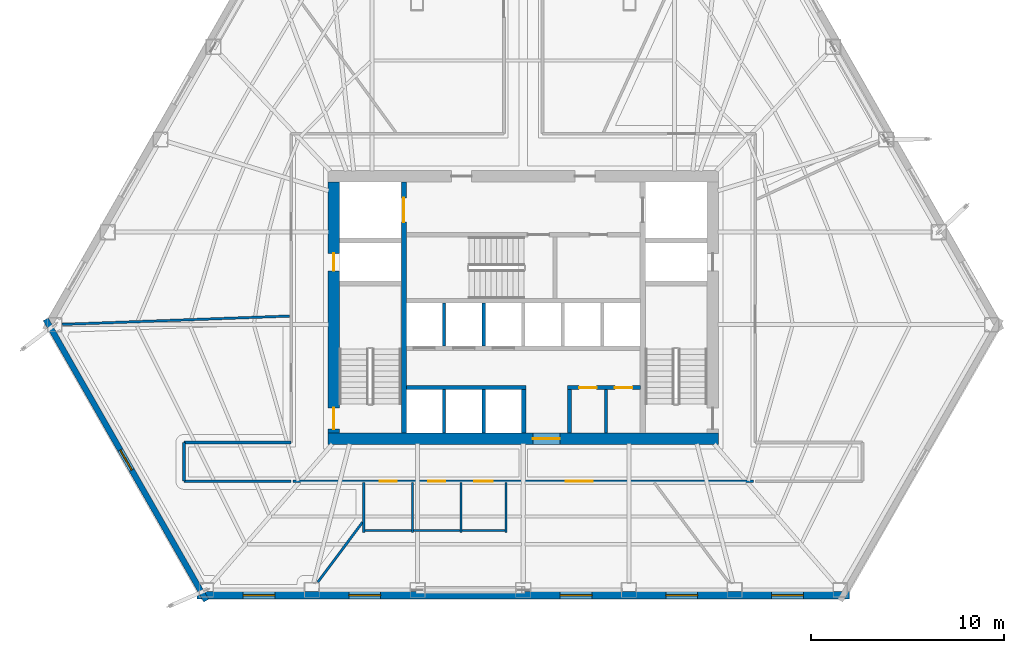
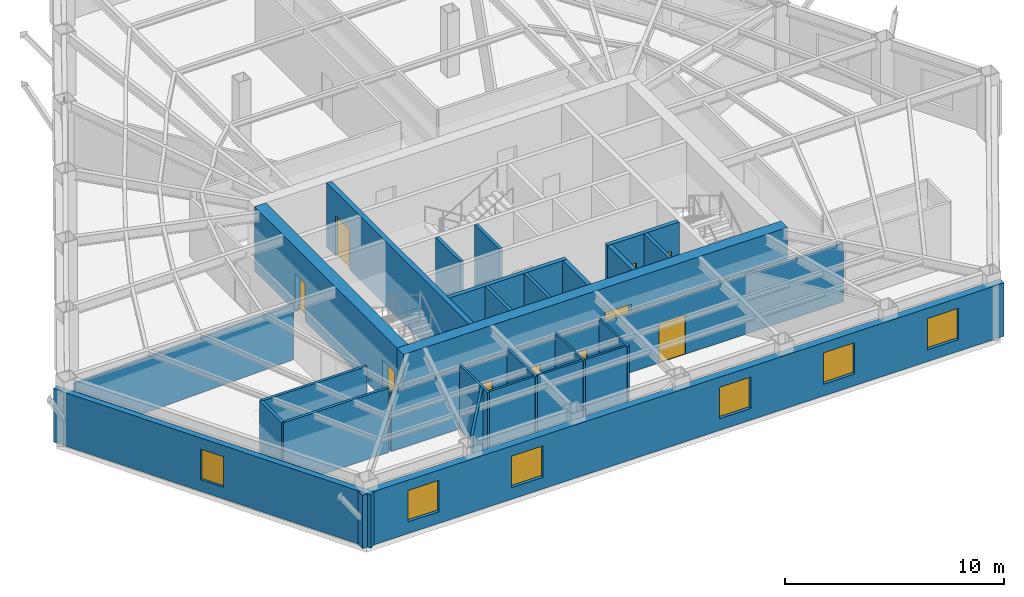
# One storey, part 8 of 12: 25 walls, 10 doors, 6 windows, 16 openings.
"""IFC4 building model written with IfcOpenShell, lengths in metres."""

from ifc_helpers import new_model, si_unit, direction, frame, frame_2d, origin, place, context, subcontext, project, spatial, rectangle, extrude, material, layer, layer_set, type_object, element, fill, save


model = new_model("IFC4")

# Units and contexts
model_context = context("Model", 3, precision=1e-05, world=origin(), true_north=direction((0.0, 1.0)))
body_context = subcontext(model_context, "Body", "Model", "MODEL_VIEW")
ifc_project = project(units=[si_unit("LENGTHUNIT", "METRE"), si_unit("AREAUNIT", "SQUARE_METRE"), si_unit("VOLUMEUNIT", "CUBIC_METRE"), si_unit("PLANEANGLEUNIT", "RADIAN"), si_unit("MASSUNIT", "GRAM", prefix="KILO")], contexts=[model_context])

# Site, building, storey
site_placement = place(None, origin())
site = spatial("IfcSite", under=ifc_project, at=site_placement, CompositionType="ELEMENT")
building_placement = place(site_placement, origin())
building = spatial("IfcBuilding", under=site, at=building_placement, Name="Kavelnor Concourse Tower", CompositionType="ELEMENT")
storey_placement = place(building_placement, frame((0.0, 0.0, 29.10009765625)))
storey = spatial("IfcBuildingStorey", under=building, at=storey_placement, Name="L07", CompositionType="ELEMENT", Elevation=29.10009765625)

# Wall, opening, door
ifc_material_1 = material(Name="Concrete C60/75", Category="concrete")
ifc_layer_1 = layer(ifc_material_1, 0.60009765625, Name="Concrete C60/75")
ifc_layer_set_1 = layer_set([ifc_layer_1], Name="Concrete C60/75")
wall_type_1 = type_object("IfcWallType", Name="WL-CORE-Z1-600", PredefinedType="SOLIDWALL", material=ifc_layer_set_1)
wall_1_placement = place(storey_placement, frame((27.8798828125, 9.300048828125, 0.0), z_axis=(0.0, 0.0, 1.0), x_axis=(1.0, 0.0, 0.0)))
wall_1 = element("IfcWall", 1, at=wall_1_placement, inside=storey, type_object=wall_type_1, Name="L07 Central Core South Shear Wall", PredefinedType="SOLIDWALL", context=body_context, shape_type="SweptSolid", body=[
    extrude(rectangle(XDim=20.240234375, YDim=0.60009765625, at=frame_2d((10.1201171875, 0.0))), origin(), (0.0, 0.0, 1.0), 3.58984375),
])
opening_1_placement = place(wall_1_placement, frame((10.6201171875, 0.0, 0.0)))
opening_1 = element("IfcOpeningElement", 2, at=opening_1_placement, cuts=wall_1, Name="Opening SD-140", PredefinedType="OPENING", context=body_context, shape_type="SweptSolid", body=[
    extrude(rectangle(XDim=1.39990234375, YDim=2.199951171875, at=frame_2d((0.699951171875, 1.10009765625))), frame((0.0, 0.31005859375, 0.0), z_axis=(0.0, -1.0, 0.0), x_axis=(1.0, 0.0, 0.0)), (0.0, 0.0, 1.0), 0.6201171875),
])
ifc_material_2 = material(Name="Solid-core hardwood timber", Category="wood")
door_type_1 = type_object("IfcDoorType", Name="DR-SUITE-ENTRY-1400", OperationType="NOTDEFINED", PredefinedType="DOOR", material=ifc_material_2)
door_1_placement = place(opening_1_placement, origin())
door_1 = element("IfcDoor", 3, at=door_1_placement, inside=storey, type_object=door_type_1, Name="L07 Passenger Lift Lobby Entry Door", OperationType="SINGLE_SWING_RIGHT", OverallHeight=2.199951171875, OverallWidth=1.39990234375, PredefinedType="DOOR", context=body_context, shape_type="SweptSolid", body=[
    extrude(rectangle(XDim=1.39990234375, YDim=2.199951171875, at=frame_2d((0.699951171875, 1.10009765625))), frame((0.0, 0.02490234375, 0.0), z_axis=(0.0, -1.0, 0.0), x_axis=(1.0, 0.0, 0.0)), (0.0, 0.0, 1.0), 0.050048828125),
])
fill(opening_1, door_1)

# Wall, openings, doors
wall_2_placement = place(storey_placement, frame((28.179931640625, 9.60009765625, 0.0), z_axis=(0.0, 0.0, 1.0), x_axis=(0.0, 1.0, 0.0)))
wall_2 = element("IfcWall", 4, at=wall_2_placement, inside=storey, type_object=wall_type_1, Name="L07 Central Core West Shear Wall", PredefinedType="SOLIDWALL", context=body_context, shape_type="SweptSolid", body=[
    extrude(rectangle(XDim=13.0, YDim=0.60009765625, at=frame_2d((6.5, 0.0))), origin(), (0.0, 0.0, 1.0), 3.58984375),
])
opening_2_placement = place(wall_2_placement, frame((0.199951171875, 0.0, 0.0)))
opening_2 = element("IfcOpeningElement", 5, at=opening_2_placement, cuts=wall_2, Name="Opening FD-110", PredefinedType="OPENING", context=body_context, shape_type="SweptSolid", body=[
    extrude(rectangle(XDim=1.10009765625, YDim=2.14990234375, at=frame_2d((0.550048828125, 1.074951171875))), frame((0.0, 0.31005859375, 0.0), z_axis=(0.0, -1.0, 0.0), x_axis=(1.0, 0.0, 0.0)), (0.0, 0.0, 1.0), 0.6201171875),
])
opening_3_placement = place(wall_2_placement, frame((8.39990234375, 0.0, 0.0)))
opening_3 = element("IfcOpeningElement", 6, at=opening_3_placement, cuts=wall_2, Name="Opening FD-090", PredefinedType="OPENING", context=body_context, shape_type="SweptSolid", body=[
    extrude(rectangle(XDim=0.89990234375, YDim=2.10009765625, at=frame_2d((0.449951171875, 1.050048828125))), frame((0.0, 0.31005859375, 0.0), z_axis=(0.0, -1.0, 0.0), x_axis=(1.0, 0.0, 0.0)), (0.0, 0.0, 1.0), 0.6201171875),
])
ifc_material_3 = material(Name="Steel Grade 350", Category="steel")
door_type_2 = type_object("IfcDoorType", Name="DR-RISER-FIRE-900", OperationType="NOTDEFINED", PredefinedType="DOOR", material=ifc_material_3)
door_2_placement = place(opening_3_placement, origin())
door_2 = element("IfcDoor", 7, at=door_2_placement, inside=storey, type_object=door_type_2, Name="L07 West Riser Access Door", OperationType="SINGLE_SWING_RIGHT", OverallHeight=2.10009765625, OverallWidth=0.89990234375, PredefinedType="DOOR", context=body_context, shape_type="SweptSolid", body=[
    extrude(rectangle(XDim=0.89990234375, YDim=2.10009765625, at=frame_2d((0.449951171875, 1.050048828125))), frame((0.0, 0.02490234375, 0.0), z_axis=(0.0, -1.0, 0.0), x_axis=(1.0, 0.0, 0.0)), (0.0, 0.0, 1.0), 0.050048828125),
])
fill(opening_3, door_2)
door_type_3 = type_object("IfcDoorType", Name="DR-STAIR-FIRE-1100", OperationType="NOTDEFINED", PredefinedType="DOOR", material=ifc_material_3)
door_3_placement = place(opening_2_placement, origin())
door_3 = element("IfcDoor", 8, at=door_3_placement, inside=storey, type_object=door_type_3, Name="L07 Stair ST1 Fire Door", OperationType="SINGLE_SWING_LEFT", OverallHeight=2.14990234375, OverallWidth=1.10009765625, PredefinedType="DOOR", context=body_context, shape_type="SweptSolid", body=[
    extrude(rectangle(XDim=1.10009765625, YDim=2.14990234375, at=frame_2d((0.550048828125, 1.074951171875))), frame((0.0, 0.02490234375, 0.0), z_axis=(0.0, -1.0, 0.0), x_axis=(1.0, 0.0, 0.0)), (0.0, 0.0, 1.0), 0.050048828125),
])
fill(opening_2, door_3)

# Wall, opening, window
ifc_material_4 = material(Name="Buff ironspot clay face brick masonry", Category="masonry")
ifc_layer_2 = layer(ifc_material_4, 0.300048828125, Name="Buff ironspot clay face brick masonry")
ifc_layer_set_2 = layer_set([ifc_layer_2], Name="Buff ironspot clay face brick masonry")
wall_type_2 = type_object("IfcWallType", Name="WL-EXT-BUFF-BRICK-FOLD-300", PredefinedType="STANDARD", material=ifc_layer_set_2)
wall_3_placement = place(storey_placement, frame((21.57958984375, 0.913330078125, 0.0), z_axis=(0.0, 0.0, 1.0), x_axis=(-0.495706340457, 0.868490198005, 0.0)))
wall_3 = element("IfcWall", 9, at=wall_3_placement, inside=storey, type_object=wall_type_2, Name="L07 Exterior Brick Facade Wall E2", PredefinedType="STANDARD", context=body_context, shape_type="SweptSolid", body=[
    extrude(rectangle(XDim=16.77685546875, YDim=0.300048828125, at=frame_2d((8.388427734375, 0.0))), origin(), (0.0, 0.0, 1.0), 2.969970703125),
])
opening_4_placement = place(wall_3_placement, frame((7.78857421875, 0.0, 0.64990234375)))
opening_4 = element("IfcOpeningElement", 10, at=opening_4_placement, cuts=wall_3, Name="Opening W-05", PredefinedType="OPENING", context=body_context, shape_type="SweptSolid", body=[
    extrude(rectangle(XDim=1.199951171875, YDim=1.699951171875, at=frame_2d((0.60009765625, 0.85009765625))), frame((0.0, 0.16015625, 0.0), z_axis=(0.0, -1.0, 0.0), x_axis=(1.0, 0.0, 0.0)), (0.0, 0.0, 1.0), 0.320068359375),
])
ifc_material_5 = material(Name="Double low-E argon insulated glazing", Category="glass")
window_type_1 = type_object("IfcWindowType", Name="WIN-FOLD-1200", PartitioningType="SINGLE_PANEL", PredefinedType="WINDOW", material=ifc_material_5)
window_1_placement = place(opening_4_placement, origin())
window_1 = element("IfcWindow", 11, at=window_1_placement, inside=storey, type_object=window_type_1, Name="L07 Chamfer-Fold Facet Window C1", OverallHeight=1.699951171875, OverallWidth=1.199951171875, PartitioningType="SINGLE_PANEL", PredefinedType="WINDOW", context=body_context, shape_type="SweptSolid", body=[
    extrude(rectangle(XDim=1.199951171875, YDim=1.699951171875, at=frame_2d((0.60009765625, 0.85009765625))), frame((0.0, 0.030029296875, 0.0), z_axis=(0.0, -1.0, 0.0), x_axis=(1.0, 0.0, 0.0)), (0.0, 0.0, 1.0), 0.06005859375),
])
fill(opening_4, window_1)

# Wall, openings, windows
ifc_material_6 = material(Name="Red-ochre clay face brick masonry", Category="masonry")
ifc_layer_3 = layer(ifc_material_6, 0.3798828125, Name="Red-ochre clay face brick masonry")
ifc_layer_set_3 = layer_set([ifc_layer_3], Name="Red-ochre clay face brick masonry")
wall_type_3 = type_object("IfcWallType", Name="WL-EXT-RED-BRICK-PIER-380", PredefinedType="STANDARD", material=ifc_layer_set_3)
wall_4_placement = place(storey_placement, frame((54.90185546875, 1.19287109375, 0.0), z_axis=(0.0, 0.0, 1.0), x_axis=(-1.0, 0.0, 0.0)))
wall_4 = element("IfcWall", 12, at=wall_4_placement, inside=storey, type_object=wall_type_3, Name="L07 Exterior Brick Facade Wall E3", PredefinedType="STANDARD", context=body_context, shape_type="SweptSolid", body=[
    extrude(rectangle(XDim=33.8037109375, YDim=0.3798828125, at=frame_2d((16.90185546875, 0.0))), origin(), (0.0, 0.0, 1.0), 2.969970703125),
])
opening_5_placement = place(wall_4_placement, frame((29.7626953125, 0.0, 0.64990234375)))
opening_5 = element("IfcOpeningElement", 13, at=opening_5_placement, cuts=wall_4, Name="Opening W-01", PredefinedType="OPENING", context=body_context, shape_type="SweptSolid", body=[
    extrude(rectangle(XDim=1.64990234375, YDim=1.75, at=frame_2d((0.824951171875, 0.875))), frame((0.0, 0.199951171875, 0.0), z_axis=(0.0, -1.0, 0.0), x_axis=(1.0, 0.0, 0.0)), (0.0, 0.0, 1.0), 0.39990234375),
])
opening_6_placement = place(wall_4_placement, frame((24.288330078125, 0.0, 0.64990234375)))
opening_6 = element("IfcOpeningElement", 14, at=opening_6_placement, cuts=wall_4, Name="Opening W-01", PredefinedType="OPENING", context=body_context, shape_type="SweptSolid", body=[
    extrude(rectangle(XDim=1.64990234375, YDim=1.75, at=frame_2d((0.824951171875, 0.875))), frame((0.0, 0.199951171875, 0.0), z_axis=(0.0, -1.0, 0.0), x_axis=(1.0, 0.0, 0.0)), (0.0, 0.0, 1.0), 0.39990234375),
])
opening_7_placement = place(wall_4_placement, frame((13.339599609375, 0.0, 0.64990234375)))
opening_7 = element("IfcOpeningElement", 15, at=opening_7_placement, cuts=wall_4, Name="Opening W-01", PredefinedType="OPENING", context=body_context, shape_type="SweptSolid", body=[
    extrude(rectangle(XDim=1.64990234375, YDim=1.75, at=frame_2d((0.824951171875, 0.875))), frame((0.0, 0.199951171875, 0.0), z_axis=(0.0, -1.0, 0.0), x_axis=(1.0, 0.0, 0.0)), (0.0, 0.0, 1.0), 0.39990234375),
])
opening_8_placement = place(wall_4_placement, frame((7.865234375, 0.0, 0.64990234375)))
opening_8 = element("IfcOpeningElement", 16, at=opening_8_placement, cuts=wall_4, Name="Opening W-01", PredefinedType="OPENING", context=body_context, shape_type="SweptSolid", body=[
    extrude(rectangle(XDim=1.64990234375, YDim=1.75, at=frame_2d((0.824951171875, 0.875))), frame((0.0, 0.199951171875, 0.0), z_axis=(0.0, -1.0, 0.0), x_axis=(1.0, 0.0, 0.0)), (0.0, 0.0, 1.0), 0.39990234375),
])
opening_9_placement = place(wall_4_placement, frame((2.390869140625, 0.0, 0.64990234375)))
opening_9 = element("IfcOpeningElement", 17, at=opening_9_placement, cuts=wall_4, Name="Opening W-01", PredefinedType="OPENING", context=body_context, shape_type="SweptSolid", body=[
    extrude(rectangle(XDim=1.64990234375, YDim=1.75, at=frame_2d((0.824951171875, 0.875))), frame((0.0, 0.199951171875, 0.0), z_axis=(0.0, -1.0, 0.0), x_axis=(1.0, 0.0, 0.0)), (0.0, 0.0, 1.0), 0.39990234375),
])
window_type_2 = type_object("IfcWindowType", Name="WIN-PIER-Z1-1800", PartitioningType="SINGLE_PANEL", PredefinedType="WINDOW", material=ifc_material_5)
window_2_placement = place(opening_5_placement, origin())
window_2 = element("IfcWindow", 18, at=window_2_placement, inside=storey, type_object=window_type_2, Name="L07 Deep-Set Brick Pier Window F1-B0", OverallHeight=1.75, OverallWidth=1.64990234375, PartitioningType="SINGLE_PANEL", PredefinedType="WINDOW", context=body_context, shape_type="SweptSolid", body=[
    extrude(rectangle(XDim=1.64990234375, YDim=1.75, at=frame_2d((0.824951171875, 0.875))), frame((0.0, 0.030029296875, 0.0), z_axis=(0.0, -1.0, 0.0), x_axis=(1.0, 0.0, 0.0)), (0.0, 0.0, 1.0), 0.06005859375),
])
fill(opening_5, window_2)
window_3_placement = place(opening_6_placement, origin())
window_3 = element("IfcWindow", 19, at=window_3_placement, inside=storey, type_object=window_type_2, Name="L07 Deep-Set Brick Pier Window F1-B1", OverallHeight=1.75, OverallWidth=1.64990234375, PartitioningType="SINGLE_PANEL", PredefinedType="WINDOW", context=body_context, shape_type="SweptSolid", body=[
    extrude(rectangle(XDim=1.64990234375, YDim=1.75, at=frame_2d((0.824951171875, 0.875))), frame((0.0, 0.030029296875, 0.0), z_axis=(0.0, -1.0, 0.0), x_axis=(1.0, 0.0, 0.0)), (0.0, 0.0, 1.0), 0.06005859375),
])
fill(opening_6, window_3)
window_4_placement = place(opening_7_placement, origin())
window_4 = element("IfcWindow", 20, at=window_4_placement, inside=storey, type_object=window_type_2, Name="L07 Deep-Set Brick Pier Window F1-B3", OverallHeight=1.75, OverallWidth=1.64990234375, PartitioningType="SINGLE_PANEL", PredefinedType="WINDOW", context=body_context, shape_type="SweptSolid", body=[
    extrude(rectangle(XDim=1.64990234375, YDim=1.75, at=frame_2d((0.824951171875, 0.875))), frame((0.0, 0.030029296875, 0.0), z_axis=(0.0, -1.0, 0.0), x_axis=(1.0, 0.0, 0.0)), (0.0, 0.0, 1.0), 0.06005859375),
])
fill(opening_7, window_4)
window_5_placement = place(opening_8_placement, origin())
window_5 = element("IfcWindow", 21, at=window_5_placement, inside=storey, type_object=window_type_2, Name="L07 Deep-Set Brick Pier Window F1-B4", OverallHeight=1.75, OverallWidth=1.64990234375, PartitioningType="SINGLE_PANEL", PredefinedType="WINDOW", context=body_context, shape_type="SweptSolid", body=[
    extrude(rectangle(XDim=1.64990234375, YDim=1.75, at=frame_2d((0.824951171875, 0.875))), frame((0.0, 0.030029296875, 0.0), z_axis=(0.0, -1.0, 0.0), x_axis=(1.0, 0.0, 0.0)), (0.0, 0.0, 1.0), 0.06005859375),
])
fill(opening_8, window_5)
window_6_placement = place(opening_9_placement, origin())
window_6 = element("IfcWindow", 22, at=window_6_placement, inside=storey, type_object=window_type_2, Name="L07 Deep-Set Brick Pier Window F1-B5", OverallHeight=1.75, OverallWidth=1.64990234375, PartitioningType="SINGLE_PANEL", PredefinedType="WINDOW", context=body_context, shape_type="SweptSolid", body=[
    extrude(rectangle(XDim=1.64990234375, YDim=1.75, at=frame_2d((0.824951171875, 0.875))), frame((0.0, 0.030029296875, 0.0), z_axis=(0.0, -1.0, 0.0), x_axis=(1.0, 0.0, 0.0)), (0.0, 0.0, 1.0), 0.06005859375),
])
fill(opening_9, window_6)

# Wall
ifc_material_7 = material(Name="Gypsum plasterboard on light-gauge steel studs", Category="steel")
ifc_layer_4 = layer(ifc_material_7, 0.14501953125, Name="Gypsum plasterboard on light-gauge steel studs")
ifc_layer_set_4 = layer_set([ifc_layer_4], Name="Gypsum plasterboard on light-gauge steel studs")
wall_type_4 = type_object("IfcWallType", Name="WL-INT-CORR-145", PredefinedType="PARTITIONING", material=ifc_layer_set_4)
wall_5_placement = place(storey_placement, frame((20.430419921875, 9.10009765625, 0.0), z_axis=(0.0, 0.0, 1.0), x_axis=(1.0, 0.0, 0.0)))
element("IfcWall", 23, at=wall_5_placement, inside=storey, type_object=wall_type_4, Name="L07 Corridor Wall WL-L07-CR-01", PredefinedType="PARTITIONING", context=body_context, shape_type="SweptSolid", body=[
    extrude(rectangle(XDim=5.549560546875, YDim=0.14501953125, at=frame_2d((2.77490234375, 0.0))), origin(), (0.0, 0.0, 1.0), 3.58984375),
])

# Wall, openings, doors
wall_6_placement = place(storey_placement, frame((49.919921875, 7.10009765625, 0.0), z_axis=(0.0, 0.0, 1.0), x_axis=(-1.0, 0.0, 0.0)))
wall_6 = element("IfcWall", 24, at=wall_6_placement, inside=storey, type_object=wall_type_4, Name="L07 Corridor Wall WL-L07-CR-12", PredefinedType="PARTITIONING", context=body_context, shape_type="SweptSolid", body=[
    extrude(rectangle(XDim=23.83984375, YDim=0.14501953125, at=frame_2d((11.919921875, 0.0))), origin(), (0.0, 0.0, 1.0), 3.27783203125),
])
opening_10_placement = place(wall_6_placement, frame((18.47998046875, 0.0, 0.0)))
opening_10 = element("IfcOpeningElement", 25, at=opening_10_placement, cuts=wall_6, Name="Opening WD-088", PredefinedType="OPENING", context=body_context, shape_type="SweptSolid", body=[
    extrude(rectangle(XDim=0.8798828125, YDim=2.10009765625, at=frame_2d((0.43994140625, 1.050048828125))), frame((0.0, 0.08251953125, 0.0), z_axis=(0.0, -1.0, 0.0), x_axis=(1.0, 0.0, 0.0)), (0.0, 0.0, 1.0), 0.1650390625),
])
opening_11_placement = place(wall_6_placement, frame((15.9599609375, 0.0, 0.0)))
opening_11 = element("IfcOpeningElement", 26, at=opening_11_placement, cuts=wall_6, Name="Opening WD-088", PredefinedType="OPENING", context=body_context, shape_type="SweptSolid", body=[
    extrude(rectangle(XDim=0.8798828125, YDim=2.10009765625, at=frame_2d((0.43994140625, 1.050048828125))), frame((0.0, 0.08251953125, 0.0), z_axis=(0.0, -1.0, 0.0), x_axis=(1.0, 0.0, 0.0)), (0.0, 0.0, 1.0), 0.1650390625),
])
opening_12_placement = place(wall_6_placement, frame((13.5, 0.0, 0.0)))
opening_12 = element("IfcOpeningElement", 27, at=opening_12_placement, cuts=wall_6, Name="Opening WD-096", PredefinedType="OPENING", context=body_context, shape_type="SweptSolid", body=[
    extrude(rectangle(XDim=0.9599609375, YDim=2.10009765625, at=frame_2d((0.47998046875, 1.050048828125))), frame((0.0, 0.08251953125, 0.0), z_axis=(0.0, -1.0, 0.0), x_axis=(1.0, 0.0, 0.0)), (0.0, 0.0, 1.0), 0.1650390625),
])
opening_13_placement = place(wall_6_placement, frame((8.310791015625, 0.0, 0.0)))
opening_13 = element("IfcOpeningElement", 28, at=opening_13_placement, cuts=wall_6, Name="Opening SD-140", PredefinedType="OPENING", context=body_context, shape_type="SweptSolid", body=[
    extrude(rectangle(XDim=1.39990234375, YDim=2.199951171875, at=frame_2d((0.699951171875, 1.10009765625))), frame((0.0, 0.08251953125, 0.0), z_axis=(0.0, -1.0, 0.0), x_axis=(1.0, 0.0, 0.0)), (0.0, 0.0, 1.0), 0.1650390625),
])
door_4_placement = place(opening_13_placement, origin())
door_4 = element("IfcDoor", 29, at=door_4_placement, inside=storey, type_object=door_type_1, Name="L07 Workplace Open Office 05 Door", OperationType="SINGLE_SWING_LEFT", OverallHeight=2.199951171875, OverallWidth=1.39990234375, PredefinedType="DOOR", context=body_context, shape_type="SweptSolid", body=[
    extrude(rectangle(XDim=1.39990234375, YDim=2.199951171875, at=frame_2d((0.699951171875, 1.10009765625))), frame((0.0, 0.02490234375, 0.0), z_axis=(0.0, -1.0, 0.0), x_axis=(1.0, 0.0, 0.0)), (0.0, 0.0, 1.0), 0.050048828125),
])
fill(opening_13, door_4)
door_type_4 = type_object("IfcDoorType", Name="DR-WC-ACC-960", OperationType="NOTDEFINED", PredefinedType="DOOR", material=ifc_material_2)
door_5_placement = place(opening_12_placement, origin())
door_5 = element("IfcDoor", 30, at=door_5_placement, inside=storey, type_object=door_type_4, Name="L07 Accessible WC Door", OperationType="SINGLE_SWING_LEFT", OverallHeight=2.10009765625, OverallWidth=0.9599609375, PredefinedType="DOOR", context=body_context, shape_type="SweptSolid", body=[
    extrude(rectangle(XDim=0.9599609375, YDim=2.10009765625, at=frame_2d((0.47998046875, 1.050048828125))), frame((0.0, 0.02490234375, 0.0), z_axis=(0.0, -1.0, 0.0), x_axis=(1.0, 0.0, 0.0)), (0.0, 0.0, 1.0), 0.050048828125),
])
fill(opening_12, door_5)
door_type_5 = type_object("IfcDoorType", Name="DR-WC-STD-880", OperationType="NOTDEFINED", PredefinedType="DOOR", material=ifc_material_2)
door_6_placement = place(opening_10_placement, origin())
door_6 = element("IfcDoor", 31, at=door_6_placement, inside=storey, type_object=door_type_5, Name="L07 Male WC Door", OperationType="SINGLE_SWING_LEFT", OverallHeight=2.10009765625, OverallWidth=0.8798828125, PredefinedType="DOOR", context=body_context, shape_type="SweptSolid", body=[
    extrude(rectangle(XDim=0.8798828125, YDim=2.10009765625, at=frame_2d((0.43994140625, 1.050048828125))), frame((0.0, 0.02490234375, 0.0), z_axis=(0.0, -1.0, 0.0), x_axis=(1.0, 0.0, 0.0)), (0.0, 0.0, 1.0), 0.050048828125),
])
fill(opening_10, door_6)
door_7_placement = place(opening_11_placement, origin())
door_7 = element("IfcDoor", 32, at=door_7_placement, inside=storey, type_object=door_type_5, Name="L07 Female WC Door", OperationType="SINGLE_SWING_RIGHT", OverallHeight=2.10009765625, OverallWidth=0.8798828125, PredefinedType="DOOR", context=body_context, shape_type="SweptSolid", body=[
    extrude(rectangle(XDim=0.8798828125, YDim=2.10009765625, at=frame_2d((0.43994140625, 1.050048828125))), frame((0.0, 0.02490234375, 0.0), z_axis=(0.0, -1.0, 0.0), x_axis=(1.0, 0.0, 0.0)), (0.0, 0.0, 1.0), 0.050048828125),
])
fill(opening_11, door_7)

# Walls
wall_7_placement = place(storey_placement, frame((25.97998046875, 7.10009765625, 0.0), z_axis=(0.0, 0.0, 1.0), x_axis=(-1.0, 0.0, 0.0)))
element("IfcWall", 33, at=wall_7_placement, inside=storey, type_object=wall_type_4, Name="L07 Corridor Wall WL-L07-CR-13", PredefinedType="PARTITIONING", context=body_context, shape_type="SweptSolid", body=[
    extrude(rectangle(XDim=5.549560546875, YDim=0.14501953125, at=frame_2d((2.77490234375, 0.0))), origin(), (0.0, 0.0, 1.0), 3.58984375),
])
wall_8_placement = place(storey_placement, frame((20.430419921875, 7.10009765625, 0.0), z_axis=(0.0, 0.0, 1.0), x_axis=(0.0, 1.0, 0.0)))
element("IfcWall", 34, at=wall_8_placement, inside=storey, type_object=wall_type_4, Name="L07 Corridor Wall WL-L07-CR-14", PredefinedType="PARTITIONING", context=body_context, shape_type="SweptSolid", body=[
    extrude(rectangle(XDim=2.0, YDim=0.14501953125, at=frame_2d((1.0, 0.0))), origin(), (0.0, 0.0, 1.0), 3.58984375),
])
ifc_layer_5 = layer(ifc_material_7, 0.1650390625, Name="Gypsum plasterboard on light-gauge steel studs")
ifc_layer_set_5 = layer_set([ifc_layer_5], Name="Gypsum plasterboard on light-gauge steel studs")
wall_type_5 = type_object("IfcWallType", Name="WL-INT-FIRE-165", PredefinedType="PARTITIONING", material=ifc_layer_set_5)
for number, where, z_axis, x_axis, name in (
    (35, (33.89990234375, 9.60009765625, 0.0), (0.0, 0.0, 1.0), (0.0, 1.0, 0.0), "L07 Lift Shaft Divider LP7"),
    (36, (35.949951171875, 9.60009765625, 0.0), (0.0, 0.0, 1.0), (0.0, 1.0, 0.0), "L07 Lift Shaft Divider LP8"),
    (37, (33.89990234375, 14.10009765625, 0.0), (0.0, 0.0, 1.0), (0.0, 1.0, 0.0), "L07 Lift Shaft Divider LP1"),
    (38, (35.949951171875, 14.10009765625, 0.0), (0.0, 0.0, 1.0), (0.0, 1.0, 0.0), "L07 Lift Shaft Divider LP2"),
    (39, (42.280029296875, 9.60009765625, 0.0), (0.0, 0.0, 1.0), (0.0, 1.0, 0.0), "L07 Core Support Divider"),
):
    element("IfcWall", number, at=place(storey_placement, frame(where, z_axis=z_axis, x_axis=x_axis)), inside=storey, type_object=wall_type_5, Name=name, PredefinedType="PARTITIONING", context=body_context, shape_type="SweptSolid", body=[
        extrude(rectangle(XDim=2.239990234375, YDim=0.1650390625, at=frame_2d((1.1201171875, 0.0))), origin(), (0.0, 0.0, 1.0), 3.58984375),
    ])
ifc_layer_6 = layer(ifc_material_7, 0.125, Name="Gypsum plasterboard on light-gauge steel studs")
ifc_layer_set_6 = layer_set([ifc_layer_6], Name="Gypsum plasterboard on light-gauge steel studs")
wall_type_6 = type_object("IfcWallType", Name="WL-INT-SUITE-125", PredefinedType="PARTITIONING", material=ifc_layer_set_6)
wall_9_placement = place(storey_placement, frame((25.8994140625, 15.654296875, 0.0), z_axis=(0.0, 0.0, 1.0), x_axis=(-0.999322388706, -0.036807111154, 0.0)))
element("IfcWall", 40, at=wall_9_placement, inside=storey, type_object=wall_type_6, Name="L07 Radial Suite Partition 04", PredefinedType="PARTITIONING", context=body_context, shape_type="SweptSolid", body=[
    extrude(rectangle(XDim=11.786865234375, YDim=0.125, at=frame_2d((5.8935546875, 0.0))), origin(), (0.0, 0.0, 1.0), 3.056884765625),
])
wall_10_placement = place(storey_placement, frame((29.677001953125, 4.97314453125, 0.0), z_axis=(0.0, 0.0, 1.0), x_axis=(-0.598981151393, -0.800763123699, 0.0)))
element("IfcWall", 41, at=wall_10_placement, inside=storey, type_object=wall_type_6, Name="L07 Radial Suite Partition 05", PredefinedType="PARTITIONING", context=body_context, shape_type="SweptSolid", body=[
    extrude(rectangle(XDim=3.874267578125, YDim=0.125, at=frame_2d((1.93701171875, 0.0))), origin(), (0.0, 0.0, 1.0), 3.58984375),
])
ifc_layer_7 = layer(ifc_material_7, 0.110107421875, Name="Gypsum plasterboard on light-gauge steel studs")
ifc_layer_set_7 = layer_set([ifc_layer_7], Name="Gypsum plasterboard on light-gauge steel studs")
wall_type_7 = type_object("IfcWallType", Name="WL-INT-WC-110", PredefinedType="PLUMBINGWALL", material=ifc_layer_set_7)
for number, where, z_axis, x_axis, name in (
    (42, (29.739990234375, 4.449951171875, 0.0), (0.0, 0.0, 1.0), (0.0, 1.0, 0.0), "L07 Sanitary Partition WL-L07-WC-W"),
    (43, (32.260009765625, 4.449951171875, 0.0), (0.0, 0.0, 1.0), (0.0, 1.0, 0.0), "L07 Sanitary Partition WL-L07-WC-D1"),
    (44, (34.780029296875, 4.449951171875, 0.0), (0.0, 0.0, 1.0), (0.0, 1.0, 0.0), "L07 Sanitary Partition WL-L07-WC-D2"),
    (45, (37.10009765625, 4.449951171875, 0.0), (0.0, 0.0, 1.0), (0.0, 1.0, 0.0), "L07 Sanitary Partition WL-L07-WC-E"),
):
    element("IfcWall", number, at=place(storey_placement, frame(where, z_axis=z_axis, x_axis=x_axis)), inside=storey, type_object=wall_type_7, Name=name, PredefinedType="PLUMBINGWALL", context=body_context, shape_type="SweptSolid", body=[
        extrude(rectangle(XDim=2.580078125, YDim=0.110107421875, at=frame_2d((1.2900390625, 0.0))), origin(), (0.0, 0.0, 1.0), 3.58984375),
    ])
wall_11_placement = place(storey_placement, frame((29.68994140625, 4.550048828125, 0.0), z_axis=(0.0, 0.0, 1.0), x_axis=(1.0, 0.0, 0.0)))
element("IfcWall", 46, at=wall_11_placement, inside=storey, type_object=wall_type_7, Name="L07 Sanitary Partition WL-L07-WC-S", PredefinedType="PLUMBINGWALL", context=body_context, shape_type="SweptSolid", body=[
    extrude(rectangle(XDim=7.4599609375, YDim=0.110107421875, at=frame_2d((3.72998046875, 0.0))), origin(), (0.0, 0.0, 1.0), 3.58984375),
])
ifc_material_8 = material(Name="Concrete C50/60", Category="concrete")
ifc_layer_8 = layer(ifc_material_8, 0.219970703125, Name="Concrete C50/60")
ifc_layer_set_8 = layer_set([ifc_layer_8], Name="Concrete C50/60")
wall_type_8 = type_object("IfcWallType", Name="WL-SHAFT-220", PredefinedType="SOLIDWALL", material=ifc_layer_set_8)
wall_12_placement = place(storey_placement, frame((31.93994140625, 11.949951171875, 0.0), z_axis=(0.0, 0.0, 1.0), x_axis=(1.0, 0.0, 0.0)))
element("IfcWall", 47, at=wall_12_placement, inside=storey, type_object=wall_type_8, Name="L07 High-Rise Lift Bank North Wall", PredefinedType="SOLIDWALL", context=body_context, shape_type="SweptSolid", body=[
    extrude(rectangle(XDim=6.18994140625, YDim=0.219970703125, at=frame_2d((3.094970703125, 0.0))), origin(), (0.0, 0.0, 1.0), 3.58984375),
])

# Wall, openings, doors
wall_13_placement = place(storey_placement, frame((40.280029296875, 11.949951171875, 0.0), z_axis=(0.0, 0.0, 1.0), x_axis=(1.0, 0.0, 0.0)))
wall_13 = element("IfcWall", 48, at=wall_13_placement, inside=storey, type_object=wall_type_8, Name="L07 Core South Support North Wall", PredefinedType="SOLIDWALL", context=body_context, shape_type="SweptSolid", body=[
    extrude(rectangle(XDim=3.780029296875, YDim=0.219970703125, at=frame_2d((1.89013671875, 0.0))), origin(), (0.0, 0.0, 1.0), 3.58984375),
])
opening_14_placement = place(wall_13_placement, frame((0.6201171875, 0.0, 0.0)))
opening_14 = element("IfcOpeningElement", 49, at=opening_14_placement, cuts=wall_13, Name="Opening FD-090", PredefinedType="OPENING", context=body_context, shape_type="SweptSolid", body=[
    extrude(rectangle(XDim=0.89990234375, YDim=2.10009765625, at=frame_2d((0.449951171875, 1.050048828125))), frame((0.0, 0.1201171875, 0.0), z_axis=(0.0, -1.0, 0.0), x_axis=(1.0, 0.0, 0.0)), (0.0, 0.0, 1.0), 0.239990234375),
])
opening_15_placement = place(wall_13_placement, frame((2.469970703125, 0.0, 0.0)))
opening_15 = element("IfcOpeningElement", 50, at=opening_15_placement, cuts=wall_13, Name="Opening FD-090", PredefinedType="OPENING", context=body_context, shape_type="SweptSolid", body=[
    extrude(rectangle(XDim=0.89990234375, YDim=2.10009765625, at=frame_2d((0.449951171875, 1.050048828125))), frame((0.0, 0.1201171875, 0.0), z_axis=(0.0, -1.0, 0.0), x_axis=(1.0, 0.0, 0.0)), (0.0, 0.0, 1.0), 0.239990234375),
])
door_8_placement = place(opening_14_placement, origin())
door_8 = element("IfcDoor", 51, at=door_8_placement, inside=storey, type_object=door_type_2, Name="L07 Cleaner Cupboard Door", OperationType="SINGLE_SWING_RIGHT", OverallHeight=2.10009765625, OverallWidth=0.89990234375, PredefinedType="DOOR", context=body_context, shape_type="SweptSolid", body=[
    extrude(rectangle(XDim=0.89990234375, YDim=2.10009765625, at=frame_2d((0.449951171875, 1.050048828125))), frame((0.0, 0.02490234375, 0.0), z_axis=(0.0, -1.0, 0.0), x_axis=(1.0, 0.0, 0.0)), (0.0, 0.0, 1.0), 0.050048828125),
])
fill(opening_14, door_8)
door_9_placement = place(opening_15_placement, origin())
door_9 = element("IfcDoor", 52, at=door_9_placement, inside=storey, type_object=door_type_2, Name="L07 Supplies Store Door", OperationType="SINGLE_SWING_LEFT", OverallHeight=2.10009765625, OverallWidth=0.89990234375, PredefinedType="DOOR", context=body_context, shape_type="SweptSolid", body=[
    extrude(rectangle(XDim=0.89990234375, YDim=2.10009765625, at=frame_2d((0.449951171875, 1.050048828125))), frame((0.0, 0.02490234375, 0.0), z_axis=(0.0, -1.0, 0.0), x_axis=(1.0, 0.0, 0.0)), (0.0, 0.0, 1.0), 0.050048828125),
])
fill(opening_15, door_9)

# Walls
for number, where, z_axis, x_axis, name in (
    (53, (38.02001953125, 9.60009765625, 0.0), (0.0, 0.0, 1.0), (0.0, 1.0, 0.0), "L07 Lift Lobby Throat West Wall"),
    (54, (40.389892578125, 9.60009765625, 0.0), (0.0, 0.0, 1.0), (0.0, 1.0, 0.0), "L07 Lift Lobby Throat East Wall"),
):
    element("IfcWall", number, at=place(storey_placement, frame(where, z_axis=z_axis, x_axis=x_axis)), inside=storey, type_object=wall_type_8, Name=name, PredefinedType="SOLIDWALL", context=body_context, shape_type="SweptSolid", body=[
        extrude(rectangle(XDim=2.239990234375, YDim=0.219970703125, at=frame_2d((1.1201171875, 0.0))), origin(), (0.0, 0.0, 1.0), 3.58984375),
    ])

# Wall, opening, door
ifc_layer_9 = layer(ifc_material_8, 0.260009765625, Name="Concrete C50/60")
ifc_layer_set_9 = layer_set([ifc_layer_9], Name="Concrete C50/60")
wall_type_9 = type_object("IfcWallType", Name="WL-SHAFT-260", PredefinedType="SHEAR", material=ifc_layer_set_9)
wall_14_placement = place(storey_placement, frame((31.81005859375, 9.60009765625, 0.0), z_axis=(0.0, 0.0, 1.0), x_axis=(0.0, 1.0, 0.0)))
wall_14 = element("IfcWall", 55, at=wall_14_placement, inside=storey, type_object=wall_type_9, Name="L07 Core West Wing Shear Wall", PredefinedType="SHEAR", context=body_context, shape_type="SweptSolid", body=[
    extrude(rectangle(XDim=13.0, YDim=0.260009765625, at=frame_2d((6.5, 0.0))), origin(), (0.0, 0.0, 1.0), 3.58984375),
])
opening_16_placement = place(wall_14_placement, frame((10.925048828125, 0.0, 0.0)))
opening_16 = element("IfcOpeningElement", 56, at=opening_16_placement, cuts=wall_14, Name="Opening LD-125", PredefinedType="OPENING", context=body_context, shape_type="SweptSolid", body=[
    extrude(rectangle(XDim=1.25, YDim=2.25, at=frame_2d((0.625, 1.125))), frame((0.0, 0.14013671875, 0.0), z_axis=(0.0, -1.0, 0.0), x_axis=(1.0, 0.0, 0.0)), (0.0, 0.0, 1.0), 0.280029296875),
])
door_type_6 = type_object("IfcDoorType", Name="DR-LIFT-SLIDING-1250", OperationType="NOTDEFINED", PredefinedType="DOOR", material=ifc_material_3)
door_10_placement = place(opening_16_placement, origin())
door_10 = element("IfcDoor", 57, at=door_10_placement, inside=storey, type_object=door_type_6, Name="L07 Emergency Lift FL1 Landing Door", OperationType="DOUBLE_DOOR_SLIDING", OverallHeight=2.25, OverallWidth=1.25, PredefinedType="DOOR", context=body_context, shape_type="SweptSolid", body=[
    extrude(rectangle(XDim=1.25, YDim=2.25, at=frame_2d((0.625, 1.125))), frame((0.0, 0.02490234375, 0.0), z_axis=(0.0, -1.0, 0.0), x_axis=(1.0, 0.0, 0.0)), (0.0, 0.0, 1.0), 0.050048828125),
])
fill(opening_16, door_10)

save(model, "model.ifc")
